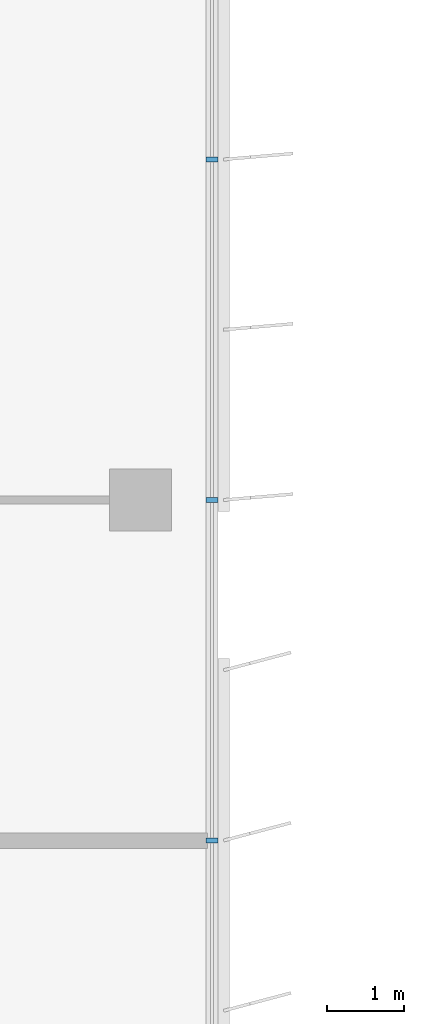
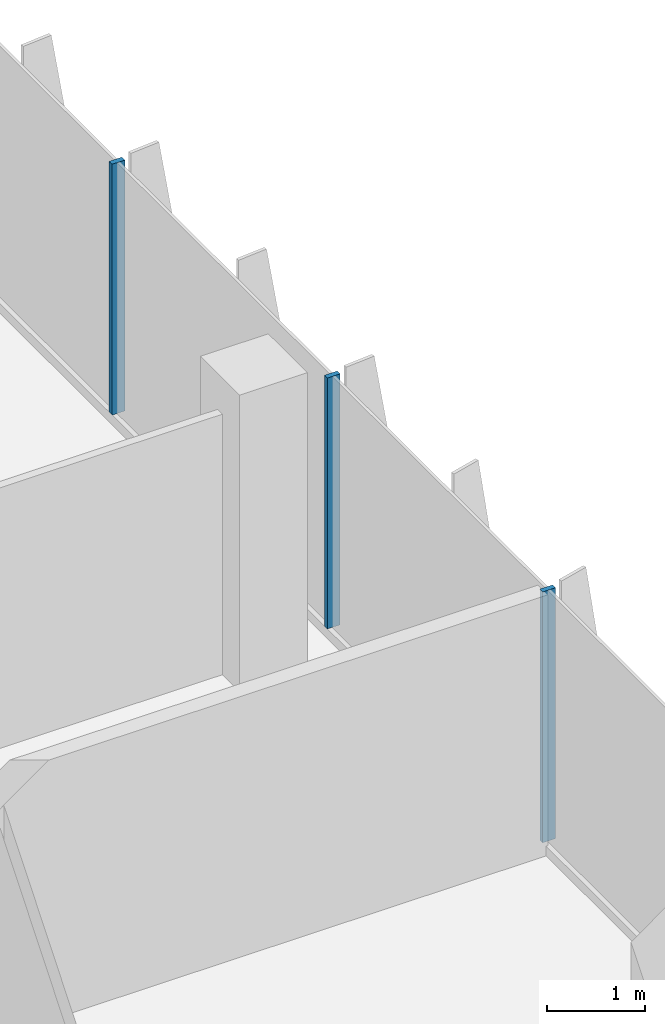
# One storey, part 4 of 15: 3 members, 1 element without a shape of its own.
"""IFC4 building model written with IfcOpenShell, lengths in metres."""

from ifc_helpers import new_model, si_unit, direction, frame, origin, origin_2d, place, context, subcontext, project, spatial, rectangle, extrude, source, transform, mapped, material, material_profile, profile_set, type_object, element, aggregate, save


model = new_model("IFC4")

# Units and contexts
model_context = context("Model", 3, precision=1e-05, world=origin(), true_north=direction((0.0, 1.0)))
body_context = subcontext(model_context, "Body", "Model", "MODEL_VIEW")
ifc_project = project(units=[si_unit("LENGTHUNIT", "METRE"), si_unit("AREAUNIT", "SQUARE_METRE"), si_unit("VOLUMEUNIT", "CUBIC_METRE"), si_unit("PLANEANGLEUNIT", "RADIAN"), si_unit("MASSUNIT", "GRAM", prefix="KILO")], contexts=[model_context])

# Site, building, storey
site_placement = place(None, origin())
site = spatial("IfcSite", under=ifc_project, at=site_placement, CompositionType="ELEMENT")
building_placement = place(site_placement, origin())
building = spatial("IfcBuilding", under=site, at=building_placement, Name="Kemantara Hotel Tower", CompositionType="ELEMENT")
storey_placement = place(building_placement, frame((0.0, 0.0, 305.5)))
storey = spatial("IfcBuildingStorey", under=building, at=storey_placement, Name="L77", CompositionType="ELEMENT", Elevation=305.5)

# Curtain wall, members
ifc_material_1 = material(Name="Low-E tinted double insulated glass 36 mm", Category="glass")
curtain_wall_type = type_object("IfcCurtainWallType", Name="TOWER CURTAIN WALL, FRONT FACES", PredefinedType="USERDEFINED", material=ifc_material_1)
curtain_wall_placement = place(storey_placement, origin())
curtain_wall = element("IfcCurtainWall", 1, at=curtain_wall_placement, inside=storey, type_object=curtain_wall_type, Name="CW4 L77 T4-R15-1", ObjectType="TOWER CURTAIN WALL, FRONT FACES", PredefinedType="USERDEFINED")
ifc_material_2 = material(Name="Aluminium 6063-T6 bronze anodised", Category="aluminium")
ifc_material_profile = material_profile(ifc_material_2, rectangle(XDim=0.14990234375, YDim=0.06005859375, at=origin_2d()), Name="TOWER CURTAIN WALL, FRONT FACES MULLION")
ifc_profile_set = profile_set([ifc_material_profile], Name="Aluminium 6063-T6 bronze anodised")
member_type = type_object("IfcMemberType", Name="TOWER CURTAIN WALL, FRONT FACES MULLION", PredefinedType="MULLION", material=ifc_profile_set)
shared_shape = source(origin(), body_context, "Body", "SweptSolid", [
    extrude(rectangle(XDim=0.14990234375, YDim=0.06005859375, at=origin_2d()), origin(), (0.0, 0.0, 1.0), 3.1298828125),
])
member_1_placement = place(storey_placement, frame((21.925048828125, 31.800048828125, 0.1201171875), z_axis=(0.0, 0.0, 1.0), x_axis=(-1.0, 0.0, 0.0)))
member_1 = element("IfcMember", 2, at=member_1_placement, type_object=member_type, Name="CW4 mullion T4-R15-1.3", PredefinedType="MULLION", context=body_context, shape_type="MappedRepresentation", body=[
    mapped(shared_shape, transform((0.0, 0.0, 0.0))),
])
member_2_placement = place(storey_placement, frame((21.925048828125, 36.199951171875, 0.1201171875), z_axis=(0.0, 0.0, 1.0), x_axis=(-1.0, 0.0, 0.0)))
member_2 = element("IfcMember", 3, at=member_2_placement, type_object=member_type, Name="CW4 mullion T4-R15-1.4", PredefinedType="MULLION", context=body_context, shape_type="MappedRepresentation", body=[
    mapped(shared_shape, transform((0.0, 0.0, 0.0))),
])
member_3_placement = place(storey_placement, frame((21.925048828125, 40.60009765625, 0.1201171875), z_axis=(0.0, 0.0, 1.0), x_axis=(-1.0, 0.0, 0.0)))
member_3 = element("IfcMember", 4, at=member_3_placement, type_object=member_type, Name="CW4 mullion T4-R15-1.5", PredefinedType="MULLION", context=body_context, shape_type="MappedRepresentation", body=[
    mapped(shared_shape, transform((0.0, 0.0, 0.0))),
])
aggregate(curtain_wall, [member_1, member_2, member_3])

save(model, "model.ifc")
